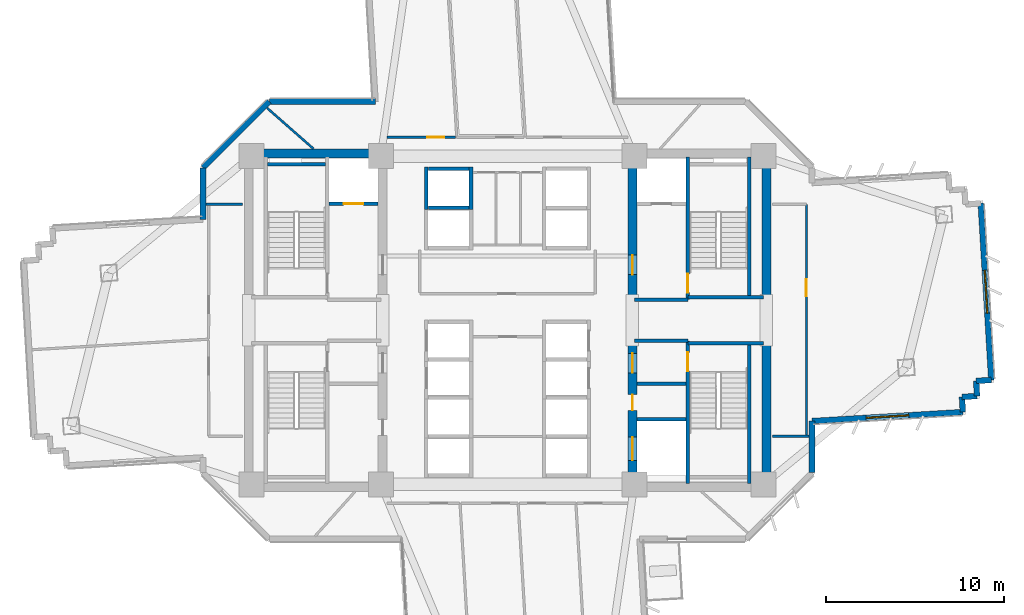
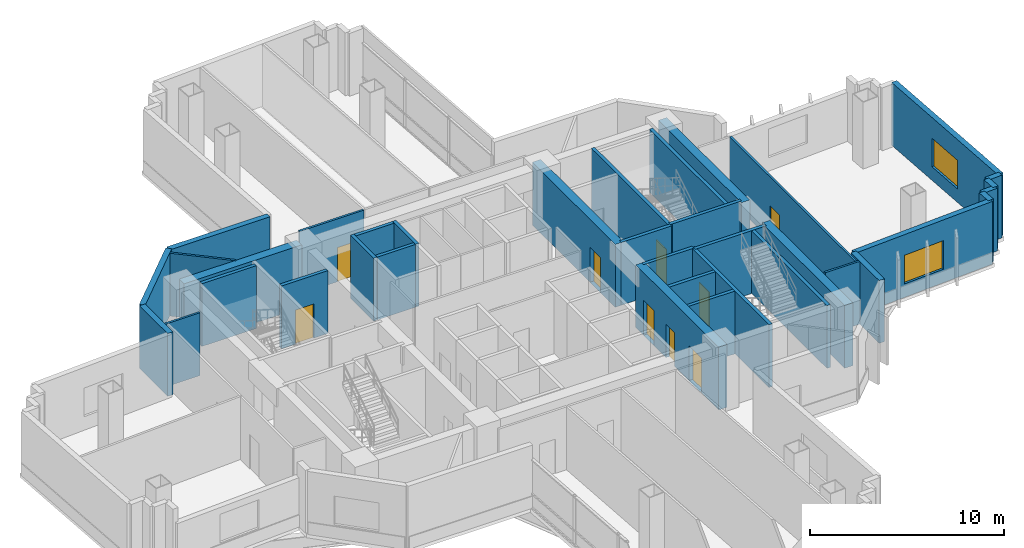
# One storey, part 8 of 15: 36 walls, 9 doors, 2 windows, 11 openings.
"""IFC4 building model written with IfcOpenShell, lengths in metres."""

from ifc_helpers import new_model, si_unit, direction, frame, frame_2d, origin, place, context, subcontext, project, spatial, rectangle, extrude, source, transform, mapped, material, layer, layer_set, type_object, element, fill, save


model = new_model("IFC4")

# Units and contexts
model_context = context("Model", 3, precision=1e-05, world=origin(), true_north=direction((0.0, 1.0)))
body_context = subcontext(model_context, "Body", "Model", "MODEL_VIEW")
ifc_project = project(units=[si_unit("LENGTHUNIT", "METRE"), si_unit("AREAUNIT", "SQUARE_METRE"), si_unit("VOLUMEUNIT", "CUBIC_METRE"), si_unit("PLANEANGLEUNIT", "RADIAN"), si_unit("MASSUNIT", "GRAM", prefix="KILO")], contexts=[model_context])

# Site, building, storey
site_placement = place(None, origin())
site = spatial("IfcSite", under=ifc_project, at=site_placement, CompositionType="ELEMENT")
building_placement = place(site_placement, origin())
building = spatial("IfcBuilding", under=site, at=building_placement, Name="Zahravan Cultural Tower", CompositionType="ELEMENT")
storey_placement = place(building_placement, frame((0.0, 0.0, 71.10009765625)))
storey = spatial("IfcBuildingStorey", under=building, at=storey_placement, Name="L15", CompositionType="ELEMENT", Elevation=71.10009765625)

# Wall, openings, doors
ifc_material_1 = material(Name="Concrete C60/75", Category="concrete")
ifc_layer_1 = layer(ifc_material_1, 0.5)
ifc_layer_set_1 = layer_set([ifc_layer_1], Name="Concrete C60/75")
wall_type_1 = type_object("IfcWallType", Name="CW-SHEAR-500-C60", PredefinedType="SHEAR", material=ifc_layer_set_1)
wall_1_placement = place(storey_placement, frame((43.0, 17.39990234375, 0.0), z_axis=(0.0, 0.0, 1.0), x_axis=(0.0, 1.0, 0.0)))
wall_1 = element("IfcWall", 1, at=wall_1_placement, inside=storey, type_object=wall_type_1, Name="L15 Core Shear Wall CW-E-WS-L15", PredefinedType="SHEAR", context=body_context, shape_type="SweptSolid", body=[
    extrude(rectangle(XDim=8.550048828125, YDim=0.5, at=frame_2d((4.27490234375, 0.0))), origin(), (0.0, 0.0, 1.0), 3.949951171875),
])
opening_1_placement = place(wall_1_placement, frame((6.64990234375, 0.0, 0.0)))
opening_1 = element("IfcOpeningElement", 2, at=opening_1_placement, cuts=wall_1, Name="Opening D-L15-08", PredefinedType="OPENING", context=body_context, shape_type="SweptSolid", body=[
    extrude(rectangle(XDim=1.10009765625, YDim=2.199951171875, at=frame_2d((0.550048828125, 1.10009765625))), frame((0.0, 0.260009765625, 0.0), z_axis=(0.0, -1.0, 0.0), x_axis=(1.0, 0.0, 0.0)), (0.0, 0.0, 1.0), 0.52001953125),
])
opening_2_placement = place(wall_1_placement, frame((1.75, 0.0, 0.0)))
opening_2 = element("IfcOpeningElement", 3, at=opening_2_placement, cuts=wall_1, Name="Opening LD-L15-03", PredefinedType="OPENING", context=body_context, shape_type="SweptSolid", body=[
    extrude(rectangle(XDim=1.300048828125, YDim=2.199951171875, at=frame_2d((0.64990234375, 1.10009765625))), frame((0.0, 0.260009765625, 0.0), z_axis=(0.0, -1.0, 0.0), x_axis=(1.0, 0.0, 0.0)), (0.0, 0.0, 1.0), 0.52001953125),
])
opening_3_placement = place(wall_1_placement, frame((4.550048828125, 0.0, 0.0)))
opening_3 = element("IfcOpeningElement", 4, at=opening_3_placement, cuts=wall_1, Name="Opening D-L15-10", PredefinedType="OPENING", context=body_context, shape_type="SweptSolid", body=[
    extrude(rectangle(XDim=0.8798828125, YDim=2.10009765625, at=frame_2d((0.43994140625, 1.050048828125))), frame((0.0, 0.260009765625, 0.0), z_axis=(0.0, -1.0, 0.0), x_axis=(1.0, 0.0, 0.0)), (0.0, 0.0, 1.0), 0.52001953125),
])
ifc_material_2 = material(Name="Steel ASTM A572 Grade 50", Category="steel")
door_type_1 = type_object("IfcDoorType", Name="DR-LOBBY-1100", OperationType="NOTDEFINED", PredefinedType="DOOR", material=ifc_material_2)
shared_shape_1 = source(origin(), body_context, "Body", "SweptSolid", [
    extrude(rectangle(XDim=1.10009765625, YDim=2.199951171875, at=frame_2d((0.550048828125, 1.10009765625))), frame((0.0, 0.02490234375, 0.0), z_axis=(0.0, -1.0, 0.0), x_axis=(1.0, 0.0, 0.0)), (0.0, 0.0, 1.0), 0.050048828125),
])
door_1_placement = place(opening_1_placement, origin())
door_1 = element("IfcDoor", 5, at=door_1_placement, inside=storey, type_object=door_type_1, Name="L15 Door D-L15-08", OperationType="SINGLE_SWING_RIGHT", OverallHeight=2.199951171875, OverallWidth=1.10009765625, PredefinedType="DOOR", context=body_context, shape_type="MappedRepresentation", body=[
    mapped(shared_shape_1, transform((0.0, 0.0, 0.0), x_axis=(1.0, 0.0, 0.0), y_axis=(0.0, 1.0, 0.0), z_axis=(0.0, 0.0, 1.0), scale=1.0)),
])
fill(opening_1, door_1)
door_type_2 = type_object("IfcDoorType", Name="DR-LIFT-1300", OperationType="DOUBLE_DOOR_SLIDING", PredefinedType="DOOR", material=ifc_material_2)
shared_shape_2 = source(origin(), body_context, "Body", "SweptSolid", [
    extrude(rectangle(XDim=1.300048828125, YDim=2.199951171875, at=frame_2d((0.64990234375, 1.10009765625))), frame((0.0, 0.02490234375, 0.0), z_axis=(0.0, -1.0, 0.0), x_axis=(1.0, 0.0, 0.0)), (0.0, 0.0, 1.0), 0.050048828125),
])
door_2_placement = place(opening_2_placement, origin())
door_2 = element("IfcDoor", 6, at=door_2_placement, inside=storey, type_object=door_type_2, Name="L15 Door LD-L15-03", OperationType="DOUBLE_DOOR_SLIDING", OverallHeight=2.199951171875, OverallWidth=1.300048828125, PredefinedType="DOOR", context=body_context, shape_type="MappedRepresentation", body=[
    mapped(shared_shape_2, transform((0.0, 0.0, 0.0), x_axis=(1.0, 0.0, 0.0), y_axis=(0.0, 1.0, 0.0), z_axis=(0.0, 0.0, 1.0), scale=1.0)),
])
fill(opening_2, door_2)
door_type_3 = type_object("IfcDoorType", Name="DR-SVC-880", OperationType="NOTDEFINED", PredefinedType="DOOR", material=ifc_material_2)
shared_shape_3 = source(origin(), body_context, "Body", "SweptSolid", [
    extrude(rectangle(XDim=0.8798828125, YDim=2.10009765625, at=frame_2d((0.43994140625, 1.050048828125))), frame((0.0, 0.02490234375, 0.0), z_axis=(0.0, -1.0, 0.0), x_axis=(1.0, 0.0, 0.0)), (0.0, 0.0, 1.0), 0.050048828125),
])
door_3_placement = place(opening_3_placement, origin())
door_3 = element("IfcDoor", 7, at=door_3_placement, inside=storey, type_object=door_type_3, Name="L15 Door D-L15-10", OperationType="SINGLE_SWING_RIGHT", OverallHeight=2.10009765625, OverallWidth=0.8798828125, PredefinedType="DOOR", context=body_context, shape_type="MappedRepresentation", body=[
    mapped(shared_shape_3, transform((0.0, 0.0, 0.0), x_axis=(1.0, 0.0, 0.0), y_axis=(0.0, 1.0, 0.0), z_axis=(0.0, 0.0, 1.0), scale=1.0)),
])
fill(opening_3, door_3)

# Wall, opening, door
wall_2_placement = place(storey_placement, frame((43.0, 28.050048828125, 0.0), z_axis=(0.0, 0.0, 1.0), x_axis=(0.0, 1.0, 0.0)))
wall_2 = element("IfcWall", 8, at=wall_2_placement, inside=storey, type_object=wall_type_1, Name="L15 Core Shear Wall CW-E-WN-L15", PredefinedType="SHEAR", context=body_context, shape_type="SweptSolid", body=[
    extrude(rectangle(XDim=8.550048828125, YDim=0.5, at=frame_2d((4.27490234375, 0.0))), origin(), (0.0, 0.0, 1.0), 3.949951171875),
])
opening_4_placement = place(wall_2_placement, frame((1.5, 0.0, 0.0)))
opening_4 = element("IfcOpeningElement", 9, at=opening_4_placement, cuts=wall_2, Name="Opening D-L15-06", PredefinedType="OPENING", context=body_context, shape_type="SweptSolid", body=[
    extrude(rectangle(XDim=1.10009765625, YDim=2.199951171875, at=frame_2d((0.550048828125, 1.10009765625))), frame((0.0, 0.260009765625, 0.0), z_axis=(0.0, -1.0, 0.0), x_axis=(1.0, 0.0, 0.0)), (0.0, 0.0, 1.0), 0.52001953125),
])
door_4_placement = place(opening_4_placement, origin())
door_4 = element("IfcDoor", 10, at=door_4_placement, inside=storey, type_object=door_type_1, Name="L15 Door D-L15-06", OperationType="SINGLE_SWING_RIGHT", OverallHeight=2.199951171875, OverallWidth=1.10009765625, PredefinedType="DOOR", context=body_context, shape_type="MappedRepresentation", body=[
    mapped(shared_shape_1, transform((0.0, 0.0, 0.0), x_axis=(1.0, 0.0, 0.0), y_axis=(0.0, 1.0, 0.0), z_axis=(0.0, 0.0, 1.0), scale=1.0)),
])
fill(opening_4, door_4)

# Wall, opening, window
ifc_material_3 = material(Name="Precast concrete C40/50", Category="concrete")
ifc_layer_2 = layer(ifc_material_3, 0.320068359375)
ifc_layer_set_2 = layer_set([ifc_layer_2], Name="Precast concrete C40/50")
wall_type_2 = type_object("IfcWallType", Name="EW-TC-320", PredefinedType="SOLIDWALL", material=ifc_layer_set_2)
wall_3_placement = place(storey_placement, frame((62.516357421875, 33.553466796875, 0.0), z_axis=(0.0, 0.0, 1.0), x_axis=(0.059656871726, -0.998218942745, 0.0)))
wall_3 = element("IfcWall", 11, at=wall_3_placement, inside=storey, type_object=wall_type_2, Name="L15 Exterior Masonry Frame Wall 06", PredefinedType="SOLIDWALL", context=body_context, shape_type="SweptSolid", body=[
    extrude(rectangle(XDim=9.919921875, YDim=0.320068359375, at=frame_2d((4.9599609375, 0.0))), origin(), (0.0, 0.0, 1.0), 3.949951171875),
])
opening_5_placement = place(wall_3_placement, frame((3.760009765625, 0.0, 0.85009765625)))
opening_5 = element("IfcOpeningElement", 12, at=opening_5_placement, cuts=wall_3, Name="Opening WN-01", PredefinedType="OPENING", context=body_context, shape_type="SweptSolid", body=[
    extrude(rectangle(XDim=2.39990234375, YDim=1.800048828125, at=frame_2d((1.199951171875, 0.89990234375))), frame((0.0, 0.169921875, 0.0), z_axis=(0.0, -1.0, 0.0), x_axis=(1.0, 0.0, 0.0)), (0.0, 0.0, 1.0), 0.340087890625),
])
ifc_material_4 = material(Name="Low-E solar-control double glazing", Category="glass")
window_type = type_object("IfcWindowType", Name="WN-REC-2400X1800", PartitioningType="DOUBLE_PANEL_VERTICAL", PredefinedType="WINDOW", material=ifc_material_4)
shared_shape_4 = source(origin(), body_context, "Body", "SweptSolid", [
    extrude(rectangle(XDim=2.39990234375, YDim=1.800048828125, at=frame_2d((1.199951171875, 0.89990234375))), frame((0.0, 0.030029296875, 0.0), z_axis=(0.0, -1.0, 0.0), x_axis=(1.0, 0.0, 0.0)), (0.0, 0.0, 1.0), 0.06005859375),
])
window_1_placement = place(opening_5_placement, origin())
window_1 = element("IfcWindow", 13, at=window_1_placement, inside=storey, type_object=window_type, Name="L15 Recessed Solar Window 02", OverallHeight=1.800048828125, OverallWidth=2.39990234375, PartitioningType="DOUBLE_PANEL_VERTICAL", PredefinedType="WINDOW", context=body_context, shape_type="MappedRepresentation", body=[
    mapped(shared_shape_4, transform((0.0, 0.0, 0.0), x_axis=(1.0, 0.0, 0.0), y_axis=(0.0, 1.0, 0.0), z_axis=(0.0, 0.0, 1.0), scale=1.0)),
])
fill(opening_5, window_1)

wall_4_placement = place(storey_placement, frame((61.512451171875, 21.852783203125, 0.0), z_axis=(0.0, 0.0, 1.0), x_axis=(-0.998219055518, -0.059654984716, 0.0)))
wall_4 = element("IfcWall", 14, at=wall_4_placement, inside=storey, type_object=wall_type_2, Name="L15 Exterior Masonry Frame Wall 11", PredefinedType="SOLIDWALL", context=body_context, shape_type="SweptSolid", body=[
    extrude(rectangle(XDim=8.467529296875, YDim=0.320068359375, at=frame_2d((4.23388671875, 0.0))), origin(), (0.0, 0.0, 1.0), 3.949951171875),
])
opening_6_placement = place(wall_4_placement, frame((3.033935546875, 0.0, 0.85009765625)))
opening_6 = element("IfcOpeningElement", 15, at=opening_6_placement, cuts=wall_4, Name="Opening WN-01", PredefinedType="OPENING", context=body_context, shape_type="SweptSolid", body=[
    extrude(rectangle(XDim=2.39990234375, YDim=1.800048828125, at=frame_2d((1.199951171875, 0.89990234375))), frame((0.0, 0.169921875, 0.0), z_axis=(0.0, -1.0, 0.0), x_axis=(1.0, 0.0, 0.0)), (0.0, 0.0, 1.0), 0.340087890625),
])
window_2_placement = place(opening_6_placement, origin())
window_2 = element("IfcWindow", 16, at=window_2_placement, inside=storey, type_object=window_type, Name="L15 Recessed Solar Window 03", OverallHeight=1.800048828125, OverallWidth=2.39990234375, PartitioningType="DOUBLE_PANEL_VERTICAL", PredefinedType="WINDOW", context=body_context, shape_type="MappedRepresentation", body=[
    mapped(shared_shape_4, transform((0.0, 0.0, 0.0), x_axis=(1.0, 0.0, 0.0), y_axis=(0.0, 1.0, 0.0), z_axis=(0.0, 0.0, 1.0), scale=1.0)),
])
fill(opening_6, window_2)

# Wall, opening, door
ifc_material_5 = material(Name="Gypsum plasterboard partition")
ifc_layer_3 = layer(ifc_material_5, 0.125)
ifc_layer_set_3 = layer_set([ifc_layer_3], Name="Gypsum plasterboard partition")
wall_type_3 = type_object("IfcWallType", Name="W-PART-125", PredefinedType="PARTITIONING", material=ifc_layer_set_3)
wall_5_placement = place(storey_placement, frame((33.085205078125, 37.260009765625, 0.0), z_axis=(0.0, 0.0, 1.0), x_axis=(-0.999999997966, -6.3783646e-05, 0.0)))
wall_5 = element("IfcWall", 17, at=wall_5_placement, inside=storey, type_object=wall_type_3, Name="L15 Interior Wall 092", PredefinedType="PARTITIONING", context=body_context, shape_type="SweptSolid", body=[
    extrude(rectangle(XDim=3.82763671875, YDim=0.125, at=frame_2d((1.913818359375, 0.0))), origin(), (0.0, 0.0, 1.0), 3.949951171875),
])
opening_7_placement = place(wall_5_placement, frame((0.633056640625, 0.0, 0.0)))
opening_7 = element("IfcOpeningElement", 18, at=opening_7_placement, cuts=wall_5, Name="Opening D-L15-19", PredefinedType="OPENING", context=body_context, shape_type="SweptSolid", body=[
    extrude(rectangle(XDim=0.949951171875, YDim=2.14990234375, at=frame_2d((0.47509765625, 1.074951171875))), frame((0.0, 0.072509765625, 0.0), z_axis=(0.0, -1.0, 0.0), x_axis=(1.0, 0.0, 0.0)), (0.0, 0.0, 1.0), 0.14501953125),
])
ifc_material_6 = material(Name="Anodised bronze-aluminium mullion", Category="aluminium")
door_type_4 = type_object("IfcDoorType", Name="DR-ROOM-950", OperationType="NOTDEFINED", PredefinedType="DOOR", material=ifc_material_6)
shared_shape_5 = source(origin(), body_context, "Body", "SweptSolid", [
    extrude(rectangle(XDim=0.949951171875, YDim=2.14990234375, at=frame_2d((0.47509765625, 1.074951171875))), frame((0.0, 0.02490234375, 0.0), z_axis=(0.0, -1.0, 0.0), x_axis=(1.0, 0.0, 0.0)), (0.0, 0.0, 1.0), 0.050048828125),
])
door_5_placement = place(opening_7_placement, origin())
door_5 = element("IfcDoor", 19, at=door_5_placement, inside=storey, type_object=door_type_4, Name="L15 Door D-L15-19", OperationType="SINGLE_SWING_LEFT", OverallHeight=2.14990234375, OverallWidth=0.949951171875, PredefinedType="DOOR", context=body_context, shape_type="MappedRepresentation", body=[
    mapped(shared_shape_5, transform((0.0, 0.0, 0.0), x_axis=(1.0, 0.0, 0.0), y_axis=(0.0, 1.0, 0.0), z_axis=(0.0, 0.0, 1.0), scale=1.0)),
])
fill(opening_7, door_5)

wall_6_placement = place(storey_placement, frame((52.748779296875, 20.56982421875, 0.0), z_axis=(0.0, 0.0, 1.0), x_axis=(-0.000113312307, 0.99999999358, 0.0)))
wall_6 = element("IfcWall", 20, at=wall_6_placement, inside=storey, type_object=wall_type_3, Name="L15 Interior Wall 103", PredefinedType="PARTITIONING", context=body_context, shape_type="SweptSolid", body=[
    extrude(rectangle(XDim=12.927490234375, YDim=0.125, at=frame_2d((6.4638671875, 0.0))), origin(), (0.0, 0.0, 1.0), 3.949951171875),
])
opening_8_placement = place(wall_6_placement, frame((7.785400390625, 0.0, 0.0)))
opening_8 = element("IfcOpeningElement", 21, at=opening_8_placement, cuts=wall_6, Name="Opening D-L15-16", PredefinedType="OPENING", context=body_context, shape_type="SweptSolid", body=[
    extrude(rectangle(XDim=0.949951171875, YDim=2.14990234375, at=frame_2d((0.47509765625, 1.074951171875))), frame((0.0, 0.072509765625, 0.0), z_axis=(0.0, -1.0, 0.0), x_axis=(1.0, 0.0, 0.0)), (0.0, 0.0, 1.0), 0.14501953125),
])
door_6_placement = place(opening_8_placement, origin())
door_6 = element("IfcDoor", 22, at=door_6_placement, inside=storey, type_object=door_type_4, Name="L15 Door D-L15-16", OperationType="SINGLE_SWING_RIGHT", OverallHeight=2.14990234375, OverallWidth=0.949951171875, PredefinedType="DOOR", context=body_context, shape_type="MappedRepresentation", body=[
    mapped(shared_shape_5, transform((0.0, 0.0, 0.0), x_axis=(1.0, 0.0, 0.0), y_axis=(0.0, 1.0, 0.0), z_axis=(0.0, 0.0, 1.0), scale=1.0)),
])
fill(opening_8, door_6)

ifc_material_7 = material(Name="Concrete C45/55", Category="concrete")
ifc_layer_4 = layer(ifc_material_7, 0.199951171875)
ifc_layer_set_4 = layer_set([ifc_layer_4], Name="Concrete C45/55")
wall_type_4 = type_object("IfcWallType", Name="W-SHAFT-200", PredefinedType="SOLIDWALL", material=ifc_layer_set_4)
wall_7_placement = place(storey_placement, frame((46.10009765625, 17.85009765625, 0.0), z_axis=(0.0, 0.0, 1.0), x_axis=(0.0, 1.0, 0.0)))
wall_7 = element("IfcWall", 23, at=wall_7_placement, inside=storey, type_object=wall_type_4, Name="L15 Interior Wall 007", PredefinedType="SOLIDWALL", context=body_context, shape_type="SweptSolid", body=[
    extrude(rectangle(XDim=8.0, YDim=0.199951171875, at=frame_2d((4.0, 0.0))), origin(), (0.0, 0.0, 1.0), 3.949951171875),
])
opening_9_placement = place(wall_7_placement, frame((6.300048828125, 0.0, 0.0)))
opening_9 = element("IfcOpeningElement", 24, at=opening_9_placement, cuts=wall_7, Name="Opening D-L15-03", PredefinedType="OPENING", context=body_context, shape_type="SweptSolid", body=[
    extrude(rectangle(XDim=1.050048828125, YDim=2.14990234375, at=frame_2d((0.52490234375, 1.074951171875))), frame((0.0, 0.10986328125, 0.0), z_axis=(0.0, -1.0, 0.0), x_axis=(1.0, 0.0, 0.0)), (0.0, 0.0, 1.0), 0.219970703125),
])
door_type_5 = type_object("IfcDoorType", Name="DR-STAIR-1050", OperationType="NOTDEFINED", PredefinedType="DOOR", material=ifc_material_2)
shared_shape_6 = source(origin(), body_context, "Body", "SweptSolid", [
    extrude(rectangle(XDim=1.050048828125, YDim=2.14990234375, at=frame_2d((0.52490234375, 1.074951171875))), frame((0.0, 0.02490234375, 0.0), z_axis=(0.0, -1.0, 0.0), x_axis=(1.0, 0.0, 0.0)), (0.0, 0.0, 1.0), 0.050048828125),
])
door_7_placement = place(opening_9_placement, origin())
door_7 = element("IfcDoor", 25, at=door_7_placement, inside=storey, type_object=door_type_5, Name="L15 Door D-L15-03", OperationType="SINGLE_SWING_LEFT", OverallHeight=2.14990234375, OverallWidth=1.050048828125, PredefinedType="DOOR", context=body_context, shape_type="MappedRepresentation", body=[
    mapped(shared_shape_6, transform((0.0, 0.0, 0.0), x_axis=(1.0, 0.0, 0.0), y_axis=(0.0, 1.0, 0.0), z_axis=(0.0, 0.0, 1.0), scale=1.0)),
])
fill(opening_9, door_7)

wall_8_placement = place(storey_placement, frame((46.10009765625, 28.14990234375, 0.0), z_axis=(0.0, 0.0, 1.0), x_axis=(0.0, 1.0, 0.0)))
wall_8 = element("IfcWall", 26, at=wall_8_placement, inside=storey, type_object=wall_type_4, Name="L15 Interior Wall 008", PredefinedType="SOLIDWALL", context=body_context, shape_type="SweptSolid", body=[
    extrude(rectangle(XDim=8.0, YDim=0.199951171875, at=frame_2d((4.0, 0.0))), origin(), (0.0, 0.0, 1.0), 3.949951171875),
])
opening_10_placement = place(wall_8_placement, frame((0.39990234375, 0.0, 0.0)))
opening_10 = element("IfcOpeningElement", 27, at=opening_10_placement, cuts=wall_8, Name="Opening D-L15-02", PredefinedType="OPENING", context=body_context, shape_type="SweptSolid", body=[
    extrude(rectangle(XDim=1.050048828125, YDim=2.14990234375, at=frame_2d((0.52490234375, 1.074951171875))), frame((0.0, 0.10986328125, 0.0), z_axis=(0.0, -1.0, 0.0), x_axis=(1.0, 0.0, 0.0)), (0.0, 0.0, 1.0), 0.219970703125),
])
door_8_placement = place(opening_10_placement, origin())
door_8 = element("IfcDoor", 28, at=door_8_placement, inside=storey, type_object=door_type_5, Name="L15 Door D-L15-02", OperationType="SINGLE_SWING_RIGHT", OverallHeight=2.14990234375, OverallWidth=1.050048828125, PredefinedType="DOOR", context=body_context, shape_type="MappedRepresentation", body=[
    mapped(shared_shape_6, transform((0.0, 0.0, 0.0), x_axis=(1.0, 0.0, 0.0), y_axis=(0.0, 1.0, 0.0), z_axis=(0.0, 0.0, 1.0), scale=1.0)),
])
fill(opening_10, door_8)

wall_9_placement = place(storey_placement, frame((26.0, 33.52001953125, 0.0), z_axis=(0.0, 0.0, 1.0), x_axis=(1.0, 0.0, 0.0)))
wall_9 = element("IfcWall", 29, at=wall_9_placement, inside=storey, type_object=wall_type_4, Name="L15 Interior Wall 021", PredefinedType="SOLIDWALL", context=body_context, shape_type="SweptSolid", body=[
    extrude(rectangle(XDim=2.75, YDim=0.199951171875, at=frame_2d((1.375, 0.0))), origin(), (0.0, 0.0, 1.0), 3.949951171875),
])
opening_11_placement = place(wall_9_placement, frame((0.820068359375, 0.0, 0.0)))
opening_11 = element("IfcOpeningElement", 30, at=opening_11_placement, cuts=wall_9, Name="Opening LD-L15-01", PredefinedType="OPENING", context=body_context, shape_type="SweptSolid", body=[
    extrude(rectangle(XDim=1.10009765625, YDim=2.14990234375, at=frame_2d((0.550048828125, 1.074951171875))), frame((0.0, 0.10986328125, 0.0), z_axis=(0.0, -1.0, 0.0), x_axis=(1.0, 0.0, 0.0)), (0.0, 0.0, 1.0), 0.219970703125),
])
door_type_6 = type_object("IfcDoorType", Name="DR-LIFT-1100", OperationType="DOUBLE_DOOR_SLIDING", PredefinedType="DOOR", material=ifc_material_2)
shared_shape_7 = source(origin(), body_context, "Body", "SweptSolid", [
    extrude(rectangle(XDim=1.10009765625, YDim=2.14990234375, at=frame_2d((0.550048828125, 1.074951171875))), frame((0.0, 0.02490234375, 0.0), z_axis=(0.0, -1.0, 0.0), x_axis=(1.0, 0.0, 0.0)), (0.0, 0.0, 1.0), 0.050048828125),
])
door_9_placement = place(opening_11_placement, origin())
door_9 = element("IfcDoor", 31, at=door_9_placement, inside=storey, type_object=door_type_6, Name="L15 Door LD-L15-01", OperationType="DOUBLE_DOOR_SLIDING", OverallHeight=2.14990234375, OverallWidth=1.10009765625, PredefinedType="DOOR", context=body_context, shape_type="MappedRepresentation", body=[
    mapped(shared_shape_7, transform((0.0, 0.0, 0.0), x_axis=(1.0, 0.0, 0.0), y_axis=(0.0, 1.0, 0.0), z_axis=(0.0, 0.0, 1.0), scale=1.0)),
])
fill(opening_11, door_9)

# Walls
shared_shape_8 = source(origin(), body_context, "Body", "SweptSolid", [
    extrude(rectangle(XDim=8.550048828125, YDim=0.5, at=frame_2d((4.27490234375, 0.0))), origin(), (0.0, 0.0, 1.0), 3.949951171875),
])
for number, where, z_axis, x_axis, name in (
    (32, (50.5, 17.39990234375, 0.0), (0.0, 0.0, 1.0), (0.0, 1.0, 0.0), "L15 Core Shear Wall CW-E-ES-L15"),
    (33, (50.5, 28.050048828125, 0.0), (0.0, 0.0, 1.0), (0.0, 1.0, 0.0), "L15 Core Shear Wall CW-E-EN-L15"),
):
    element("IfcWall", number, at=place(storey_placement, frame(where, z_axis=z_axis, x_axis=x_axis)), inside=storey, type_object=wall_type_1, Name=name, PredefinedType="SHEAR", context=body_context, shape_type="MappedRepresentation", body=[
        mapped(shared_shape_8, transform((0.0, 0.0, 0.0), x_axis=(1.0, 0.0, 0.0), y_axis=(0.0, 1.0, 0.0), z_axis=(0.0, 0.0, 1.0), scale=1.0)),
    ])
shared_shape_9 = source(origin(), body_context, "Body", "SweptSolid", [
    extrude(rectangle(XDim=7.0, YDim=0.5, at=frame_2d((3.5, 0.0))), origin(), (0.0, 0.0, 1.0), 3.949951171875),
])
wall_10_placement = place(storey_placement, frame((21.75, 36.35009765625, 0.0), z_axis=(0.0, 0.0, 1.0), x_axis=(1.0, 0.0, 0.0)))
element("IfcWall", 34, at=wall_10_placement, inside=storey, type_object=wall_type_1, Name="L15 Core Shear Wall CW-W-N-L15", PredefinedType="SHEAR", context=body_context, shape_type="MappedRepresentation", body=[
    mapped(shared_shape_9, transform((0.0, 0.0, 0.0), x_axis=(1.0, 0.0, 0.0), y_axis=(0.0, 1.0, 0.0), z_axis=(0.0, 0.0, 1.0), scale=1.0)),
])
shared_shape_10 = source(origin(), body_context, "Body", "SweptSolid", [
    extrude(rectangle(XDim=0.849853515625, YDim=0.320068359375, at=frame_2d((0.4248046875, 0.0))), origin(), (0.0, 0.0, 1.0), 3.949951171875),
])
wall_11_placement = place(storey_placement, frame((62.310302734375, 22.751953125, 0.0), z_axis=(0.0, 0.0, 1.0), x_axis=(-0.998230513845, -0.059462939961, 0.0)))
element("IfcWall", 35, at=wall_11_placement, inside=storey, type_object=wall_type_2, Name="L15 Exterior Masonry Frame Wall 09", PredefinedType="SOLIDWALL", context=body_context, shape_type="MappedRepresentation", body=[
    mapped(shared_shape_10, transform((0.0, 0.0, 0.0), x_axis=(1.0, 0.0, 0.0), y_axis=(0.0, 1.0, 0.0), z_axis=(0.0, 0.0, 1.0), scale=1.0)),
])
shared_shape_11 = source(origin(), body_context, "Body", "SweptSolid", [
    extrude(rectangle(XDim=0.85009765625, YDim=0.320068359375, at=frame_2d((0.425048828125, 0.0))), origin(), (0.0, 0.0, 1.0), 3.949951171875),
])
for number, where, z_axis, x_axis, name in (
    (36, (63.108154296875, 23.651123046875, 0.0), (0.0, 0.0, 1.0), (-0.998231529116, -0.059445893707, 0.0), "L15 Exterior Masonry Frame Wall 07"),
    (37, (62.259521484375, 23.6005859375, 0.0), (0.0, 0.0, 1.0), (0.059732049764, -0.998214447016, 0.0), "L15 Exterior Masonry Frame Wall 08"),
    (38, (61.4619140625, 22.701416015625, 0.0), (0.0, 0.0, 1.0), (0.059445893707, -0.998231529116, 0.0), "L15 Exterior Masonry Frame Wall 10"),
):
    element("IfcWall", number, at=place(storey_placement, frame(where, z_axis=z_axis, x_axis=x_axis)), inside=storey, type_object=wall_type_2, Name=name, PredefinedType="SOLIDWALL", context=body_context, shape_type="MappedRepresentation", body=[
        mapped(shared_shape_11, transform((0.0, 0.0, 0.0), x_axis=(1.0, 0.0, 0.0), y_axis=(0.0, 1.0, 0.0), z_axis=(0.0, 0.0, 1.0), scale=1.0)),
    ])
shared_shape_12 = source(origin(), body_context, "Body", "SweptSolid", [
    extrude(rectangle(XDim=5.258056640625, YDim=0.320068359375, at=frame_2d((2.62890625, 0.0))), origin(), (0.0, 0.0, 1.0), 3.949951171875),
])
wall_12_placement = place(storey_placement, frame((18.93994140625, 35.5419921875, 0.0), z_axis=(0.0, 0.0, 1.0), x_axis=(0.707106781187, 0.707106781187, 0.0)))
element("IfcWall", 39, at=wall_12_placement, inside=storey, type_object=wall_type_2, Name="L15 Exterior Masonry Frame Wall 40", PredefinedType="SOLIDWALL", context=body_context, shape_type="MappedRepresentation", body=[
    mapped(shared_shape_12, transform((0.0, 0.0, 0.0), x_axis=(1.0, 0.0, 0.0), y_axis=(0.0, 1.0, 0.0), z_axis=(0.0, 0.0, 1.0), scale=1.0)),
])
shared_shape_13 = source(origin(), body_context, "Body", "SweptSolid", [
    extrude(rectangle(XDim=2.8896484375, YDim=0.320068359375, at=frame_2d((1.44482421875, 0.0))), origin(), (0.0, 0.0, 1.0), 3.949951171875),
])
for number, where, z_axis, x_axis, name in (
    (40, (53.06005859375, 21.34765625, 0.0), (0.0, 0.0, 1.0), (0.0, -1.0, 0.0), "L15 Exterior Masonry Frame Wall 12"),
    (41, (18.93994140625, 32.65234375, 0.0), (0.0, 0.0, 1.0), (0.0, 1.0, 0.0), "L15 Exterior Masonry Frame Wall 39"),
):
    element("IfcWall", number, at=place(storey_placement, frame(where, z_axis=z_axis, x_axis=x_axis)), inside=storey, type_object=wall_type_2, Name=name, PredefinedType="SOLIDWALL", context=body_context, shape_type="MappedRepresentation", body=[
        mapped(shared_shape_13, transform((0.0, 0.0, 0.0), x_axis=(1.0, 0.0, 0.0), y_axis=(0.0, 1.0, 0.0), z_axis=(0.0, 0.0, 1.0), scale=1.0)),
    ])
shared_shape_14 = source(origin(), body_context, "Body", "SweptSolid", [
    extrude(rectangle(XDim=5.9375, YDim=0.320068359375, at=frame_2d((2.96875, 0.0))), origin(), (0.0, 0.0, 1.0), 3.949951171875),
])
wall_13_placement = place(storey_placement, frame((22.657958984375, 39.260009765625, 0.0), z_axis=(0.0, 0.0, 1.0), x_axis=(1.0, 0.0, 0.0)))
element("IfcWall", 42, at=wall_13_placement, inside=storey, type_object=wall_type_2, Name="L15 Exterior Masonry Frame Wall 41", PredefinedType="SOLIDWALL", context=body_context, shape_type="MappedRepresentation", body=[
    mapped(shared_shape_14, transform((0.0, 0.0, 0.0), x_axis=(1.0, 0.0, 0.0), y_axis=(0.0, 1.0, 0.0), z_axis=(0.0, 0.0, 1.0), scale=1.0)),
])
shared_shape_15 = source(origin(), body_context, "Body", "SweptSolid", [
    extrude(rectangle(XDim=7.869873046875, YDim=0.199951171875, at=frame_2d((3.93505859375, 0.0))), origin(), (0.0, 0.0, 1.0), 3.949951171875),
])
for number, where, z_axis, x_axis, name in (
    (43, (49.550048828125, 17.85009765625, 0.0), (0.0, 0.0, 1.0), (0.0, 1.0, 0.0), "L15 Interior Wall 003"),
    (44, (49.550048828125, 28.280029296875, 0.0), (0.0, 0.0, 1.0), (0.0, 1.0, 0.0), "L15 Interior Wall 004"),
):
    element("IfcWall", number, at=place(storey_placement, frame(where, z_axis=z_axis, x_axis=x_axis)), inside=storey, type_object=wall_type_4, Name=name, PredefinedType="SOLIDWALL", context=body_context, shape_type="MappedRepresentation", body=[
        mapped(shared_shape_15, transform((0.0, 0.0, 0.0), x_axis=(1.0, 0.0, 0.0), y_axis=(0.0, 1.0, 0.0), z_axis=(0.0, 0.0, 1.0), scale=1.0)),
    ])
shared_shape_16 = source(origin(), body_context, "Body", "SweptSolid", [
    extrude(rectangle(XDim=4.25, YDim=0.199951171875, at=frame_2d((2.125, 0.0))), origin(), (0.0, 0.0, 1.0), 3.949951171875),
])
for number, where, z_axis, x_axis, name in (
    (45, (46.10009765625, 25.715087890625, 0.0), (0.0, 0.0, 1.0), (1.0, 0.0, 0.0), "L15 Interior Wall 014"),
    (46, (46.10009765625, 28.284912109375, 0.0), (0.0, 0.0, 1.0), (1.0, 0.0, 0.0), "L15 Interior Wall 016"),
):
    element("IfcWall", number, at=place(storey_placement, frame(where, z_axis=z_axis, x_axis=x_axis)), inside=storey, type_object=wall_type_4, Name=name, PredefinedType="SOLIDWALL", context=body_context, shape_type="MappedRepresentation", body=[
        mapped(shared_shape_16, transform((0.0, 0.0, 0.0), x_axis=(1.0, 0.0, 0.0), y_axis=(0.0, 1.0, 0.0), z_axis=(0.0, 0.0, 1.0), scale=1.0)),
    ])
shared_shape_17 = source(origin(), body_context, "Body", "SweptSolid", [
    extrude(rectangle(XDim=3.0, YDim=0.199951171875, at=frame_2d((1.5, 0.0))), origin(), (0.0, 0.0, 1.0), 3.949951171875),
])
for number, where, z_axis, x_axis, name in (
    (47, (43.10009765625, 25.85009765625, 0.0), (0.0, 0.0, 1.0), (1.0, 0.0, 0.0), "L15 Interior Wall 013"),
    (48, (43.10009765625, 28.14990234375, 0.0), (0.0, 0.0, 1.0), (1.0, 0.0, 0.0), "L15 Interior Wall 015"),
):
    element("IfcWall", number, at=place(storey_placement, frame(where, z_axis=z_axis, x_axis=x_axis)), inside=storey, type_object=wall_type_4, Name=name, PredefinedType="SOLIDWALL", context=body_context, shape_type="MappedRepresentation", body=[
        mapped(shared_shape_17, transform((0.0, 0.0, 0.0), x_axis=(1.0, 0.0, 0.0), y_axis=(0.0, 1.0, 0.0), z_axis=(0.0, 0.0, 1.0), scale=1.0)),
    ])
shared_shape_18 = source(origin(), body_context, "Body", "SweptSolid", [
    extrude(rectangle(XDim=3.25, YDim=0.199951171875, at=frame_2d((1.625, 0.0))), origin(), (0.0, 0.0, 1.0), 3.949951171875),
])
wall_14_placement = place(storey_placement, frame((22.550048828125, 35.75, 0.0), z_axis=(0.0, 0.0, 1.0), x_axis=(1.0, 0.0, 0.0)))
element("IfcWall", 49, at=wall_14_placement, inside=storey, type_object=wall_type_4, Name="L15 Interior Wall 017", PredefinedType="SOLIDWALL", context=body_context, shape_type="MappedRepresentation", body=[
    mapped(shared_shape_18, transform((0.0, 0.0, 0.0), x_axis=(1.0, 0.0, 0.0), y_axis=(0.0, 1.0, 0.0), z_axis=(0.0, 0.0, 1.0), scale=1.0)),
])
shared_shape_19 = source(origin(), body_context, "Body", "SweptSolid", [
    extrude(rectangle(XDim=2.75, YDim=0.199951171875, at=frame_2d((1.375, 0.0))), origin(), (0.0, 0.0, 1.0), 3.949951171875),
])
for number, where, z_axis, x_axis, name in (
    (50, (43.25, 23.449951171875, 0.0), (0.0, 0.0, 1.0), (1.0, 0.0, 0.0), "L15 Interior Wall 024"),
    (51, (43.25, 21.449951171875, 0.0), (0.0, 0.0, 1.0), (1.0, 0.0, 0.0), "L15 Interior Wall 025"),
):
    element("IfcWall", number, at=place(storey_placement, frame(where, z_axis=z_axis, x_axis=x_axis)), inside=storey, type_object=wall_type_4, Name=name, PredefinedType="SOLIDWALL", context=body_context, shape_type="MappedRepresentation", body=[
        mapped(shared_shape_19, transform((0.0, 0.0, 0.0), x_axis=(1.0, 0.0, 0.0), y_axis=(0.0, 1.0, 0.0), z_axis=(0.0, 0.0, 1.0), scale=1.0)),
    ])
shared_shape_20 = source(origin(), body_context, "Body", "SweptSolid", [
    extrude(rectangle(XDim=2.400146484375, YDim=0.199951171875, at=frame_2d((1.2001953125, 0.0))), origin(), (0.0, 0.0, 1.0), 3.949951171875),
])
for number, where, z_axis, x_axis, name in (
    (52, (31.449951171875, 33.199951171875, 0.0), (0.0, 0.0, 1.0), (0.0, 1.0, 0.0), "L15 Interior Wall 026"),
    (53, (33.949951171875, 33.199951171875, 0.0), (0.0, 0.0, 1.0), (0.0, 1.0, 0.0), "L15 Interior Wall 027"),
):
    element("IfcWall", number, at=place(storey_placement, frame(where, z_axis=z_axis, x_axis=x_axis)), inside=storey, type_object=wall_type_4, Name=name, PredefinedType="SOLIDWALL", context=body_context, shape_type="MappedRepresentation", body=[
        mapped(shared_shape_20, transform((0.0, 0.0, 0.0), x_axis=(1.0, 0.0, 0.0), y_axis=(0.0, 1.0, 0.0), z_axis=(0.0, 0.0, 1.0), scale=1.0)),
    ])
shared_shape_21 = source(origin(), body_context, "Body", "SweptSolid", [
    extrude(rectangle(XDim=2.260009765625, YDim=0.199951171875, at=frame_2d((1.1298828125, 0.0))), origin(), (0.0, 0.0, 1.0), 3.949951171875),
])
for number, where, z_axis, x_axis, name in (
    (54, (31.570068359375, 33.300048828125, 0.0), (0.0, 0.0, 1.0), (1.0, 0.0, 0.0), "L15 Interior Wall 028"),
    (55, (31.570068359375, 35.5, 0.0), (0.0, 0.0, 1.0), (1.0, 0.0, 0.0), "L15 Interior Wall 029"),
):
    element("IfcWall", number, at=place(storey_placement, frame(where, z_axis=z_axis, x_axis=x_axis)), inside=storey, type_object=wall_type_4, Name=name, PredefinedType="SOLIDWALL", context=body_context, shape_type="MappedRepresentation", body=[
        mapped(shared_shape_21, transform((0.0, 0.0, 0.0), x_axis=(1.0, 0.0, 0.0), y_axis=(0.0, 1.0, 0.0), z_axis=(0.0, 0.0, 1.0), scale=1.0)),
    ])
shared_shape_22 = source(origin(), body_context, "Body", "SweptSolid", [
    extrude(rectangle(XDim=2.04931640625, YDim=0.125, at=frame_2d((1.024658203125, 0.0))), origin(), (0.0, 0.0, 1.0), 3.949951171875),
])
for number, where, z_axis, x_axis, name in (
    (56, (21.1494140625, 33.49658203125, 0.0), (0.0, 0.0, 1.0), (-0.999999936133, 0.000357398119, 0.0), "L15 Interior Wall 096"),
    (57, (50.8505859375, 20.50341796875, 0.0), (0.0, 0.0, 1.0), (0.999999822593, -0.000595663464, 0.0), "L15 Interior Wall 102"),
):
    element("IfcWall", number, at=place(storey_placement, frame(where, z_axis=z_axis, x_axis=x_axis)), inside=storey, type_object=wall_type_3, Name=name, PredefinedType="PARTITIONING", context=body_context, shape_type="MappedRepresentation", body=[
        mapped(shared_shape_22, transform((0.0, 0.0, 0.0), x_axis=(1.0, 0.0, 0.0), y_axis=(0.0, 1.0, 0.0), z_axis=(0.0, 0.0, 1.0), scale=1.0)),
    ])
shared_shape_23 = source(origin(), body_context, "Body", "SweptSolid", [
    extrude(rectangle(XDim=3.466796875, YDim=0.125, at=frame_2d((1.7333984375, 0.0))), origin(), (0.0, 0.0, 1.0), 3.949951171875),
])
wall_15_placement = place(storey_placement, frame((25.12890625, 36.60498046875, 0.0), z_axis=(0.0, 0.0, 1.0), x_axis=(-0.751135268809, 0.66014832269, 0.0)))
element("IfcWall", 58, at=wall_15_placement, inside=storey, type_object=wall_type_3, Name="L15 Interior Wall 093", PredefinedType="PARTITIONING", context=body_context, shape_type="MappedRepresentation", body=[
    mapped(shared_shape_23, transform((0.0, 0.0, 0.0), x_axis=(1.0, 0.0, 0.0), y_axis=(0.0, 1.0, 0.0), z_axis=(0.0, 0.0, 1.0), scale=1.0)),
])

save(model, "model.ifc")
